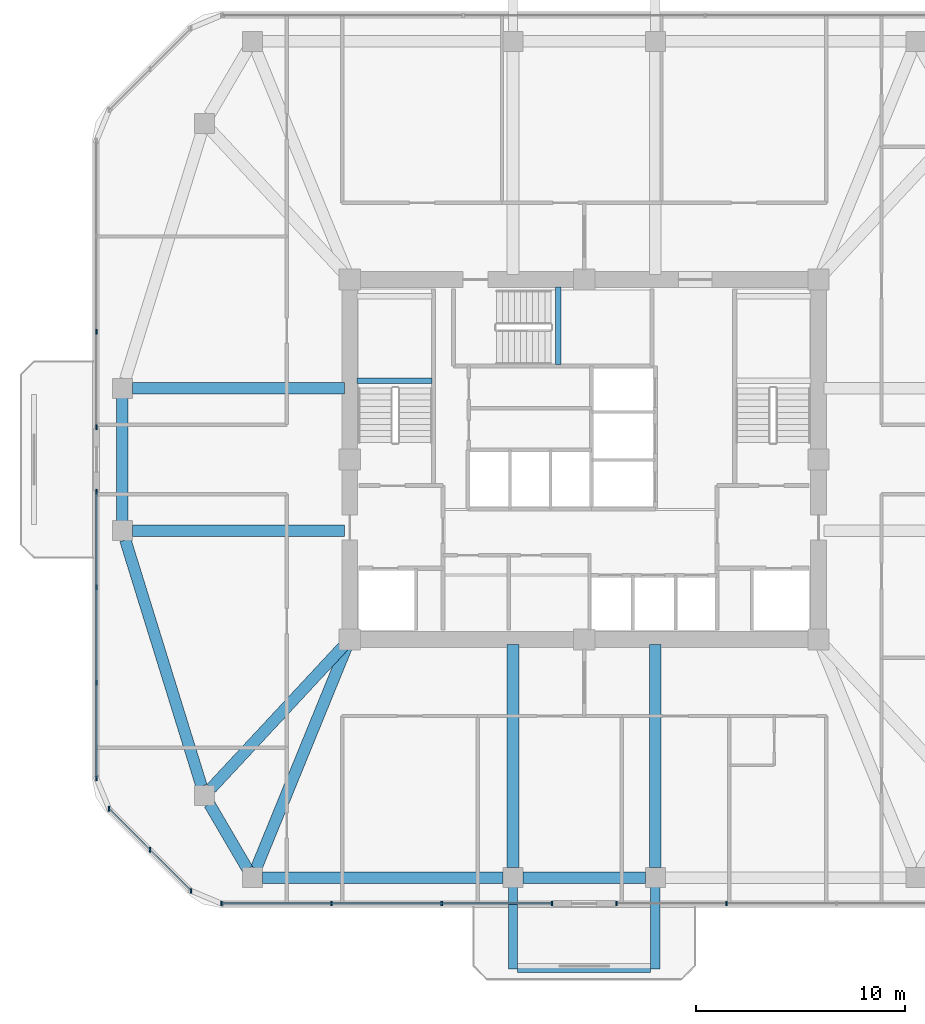
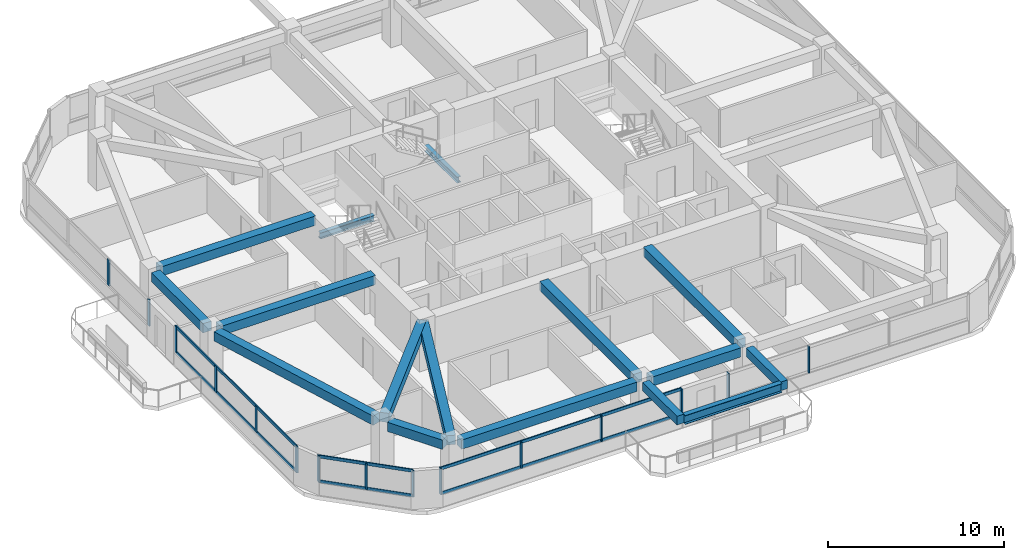
# One storey, part 2 of 12: 21 members, 16 beams, 5 elements without a shape of their own.
"""IFC4 building model written with IfcOpenShell, lengths in metres."""

from ifc_helpers import new_model, si_unit, derived_unit, direction, frame, origin, origin_2d, place, context, subcontext, project, spatial, rectangle, i_section, extrude, material, material_profile, profile_set, type_object, element, aggregate, save


model = new_model("IFC4")

# Units and contexts
model_context = context("Model", 3, precision=1e-05, world=origin(), true_north=direction((0.0, 1.0)))
body_context = subcontext(model_context, "Body", "Model", "MODEL_VIEW")
ifc_project = project(units=[si_unit("LENGTHUNIT", "METRE"), si_unit("AREAUNIT", "SQUARE_METRE"), si_unit("VOLUMEUNIT", "CUBIC_METRE"), si_unit("PLANEANGLEUNIT", "RADIAN"), si_unit("MASSUNIT", "GRAM", prefix="KILO"), derived_unit("THERMALTRANSMITTANCEUNIT", [(si_unit("POWERUNIT", "WATT"), 1), (si_unit("LENGTHUNIT", "METRE"), -2), (si_unit("THERMODYNAMICTEMPERATUREUNIT", "KELVIN"), -1)])], contexts=[model_context])

# Site, building, storey
site_placement = place(None, origin())
site = spatial("IfcSite", under=ifc_project, at=site_placement, CompositionType="ELEMENT")
building_placement = place(site_placement, origin())
building = spatial("IfcBuilding", under=site, at=building_placement, Name="Koralith Skygarden Medical Center", CompositionType="ELEMENT")
storey_placement = place(building_placement, frame((0.0, 0.0, 163.6201171875)))
storey = spatial("IfcBuildingStorey", under=building, at=storey_placement, Name="L42", CompositionType="ELEMENT", Elevation=163.6201171875)

# Curtain wall, members
ifc_material_1 = material(Name="Clear Laminated Glass", Category="glass")
curtain_wall_type = type_object("IfcCurtainWallType", Name="CW-4 Zone 3 Waist High-Wind Curtain Wall", PredefinedType="NOTDEFINED", material=ifc_material_1)
curtain_wall_1_placement = place(storey_placement, origin())
curtain_wall_1 = element("IfcCurtainWall", 1, at=curtain_wall_1_placement, inside=storey, type_object=curtain_wall_type, Name="Curtain Wall CW-L42-S-L", PredefinedType="NOTDEFINED")
ifc_material_2 = material(Name="Aluminium 6063-T6", Category="aluminium")
ifc_material_profile_1 = material_profile(ifc_material_2, rectangle(XDim=0.076904296875, YDim=0.22998046875, at=origin_2d()), Name="MUL77X230")
ifc_profile_set_1 = profile_set([ifc_material_profile_1], Name="Aluminium 6063-T6")
member_type_1 = type_object("IfcMemberType", Name="CW-4 Extruded Mullion 77x230", PredefinedType="MULLION", material=ifc_profile_set_1)
member_1_placement = place(storey_placement, frame((19.6708984375, 4.679931640625, 0.849853515625), z_axis=(0.0, 0.0, 1.0), x_axis=(1.0, 0.0, 0.0)))
member_1 = element("IfcMember", 2, at=member_1_placement, type_object=member_type_1, Name="CW-L42-S-L Mullion 1", PredefinedType="MULLION", context=body_context, shape_type="SweptSolid", body=[
    extrude(rectangle(XDim=0.076904296875, YDim=0.22998046875, at=origin_2d()), origin(), (0.0, 0.0, 1.0), 1.820068359375),
])
member_2_placement = place(storey_placement, frame((24.93408203125, 4.679931640625, 0.849853515625), z_axis=(0.0, 0.0, 1.0), x_axis=(1.0, 0.0, 0.0)))
member_2 = element("IfcMember", 3, at=member_2_placement, type_object=member_type_1, Name="CW-L42-S-L Mullion 2", PredefinedType="MULLION", context=body_context, shape_type="SweptSolid", body=[
    extrude(rectangle(XDim=0.076904296875, YDim=0.22998046875, at=origin_2d()), origin(), (0.0, 0.0, 1.0), 1.820068359375),
])
member_3_placement = place(storey_placement, frame((30.196044921875, 4.679931640625, 0.849853515625), z_axis=(0.0, 0.0, 1.0), x_axis=(1.0, 0.0, 0.0)))
member_3 = element("IfcMember", 4, at=member_3_placement, type_object=member_type_1, Name="CW-L42-S-L Mullion 3", PredefinedType="MULLION", context=body_context, shape_type="SweptSolid", body=[
    extrude(rectangle(XDim=0.076904296875, YDim=0.22998046875, at=origin_2d()), origin(), (0.0, 0.0, 1.0), 1.820068359375),
])
member_4_placement = place(storey_placement, frame((35.458984375, 4.679931640625, 0.849853515625), z_axis=(0.0, 0.0, 1.0), x_axis=(1.0, 0.0, 0.0)))
member_4 = element("IfcMember", 5, at=member_4_placement, type_object=member_type_1, Name="CW-L42-S-L Mullion 4", PredefinedType="MULLION", context=body_context, shape_type="SweptSolid", body=[
    extrude(rectangle(XDim=0.076904296875, YDim=0.22998046875, at=origin_2d()), origin(), (0.0, 0.0, 1.0), 1.820068359375),
])

curtain_wall_2_placement = place(storey_placement, origin())
curtain_wall_2 = element("IfcCurtainWall", 6, at=curtain_wall_2_placement, inside=storey, type_object=curtain_wall_type, Name="Curtain Wall CW-L42-S-R", PredefinedType="NOTDEFINED")
member_5_placement = place(storey_placement, frame((38.5390625, 4.679931640625, 0.849853515625), z_axis=(0.0, 0.0, 1.0), x_axis=(1.0, 0.0, 0.0)))
member_5 = element("IfcMember", 7, at=member_5_placement, type_object=member_type_1, Name="CW-L42-S-R Mullion 1", PredefinedType="MULLION", context=body_context, shape_type="SweptSolid", body=[
    extrude(rectangle(XDim=0.076904296875, YDim=0.22998046875, at=origin_2d()), origin(), (0.0, 0.0, 1.0), 1.820068359375),
])
member_6_placement = place(storey_placement, frame((43.802001953125, 4.679931640625, 0.849853515625), z_axis=(0.0, 0.0, 1.0), x_axis=(1.0, 0.0, 0.0)))
member_6 = element("IfcMember", 8, at=member_6_placement, type_object=member_type_1, Name="CW-L42-S-R Mullion 2", PredefinedType="MULLION", context=body_context, shape_type="SweptSolid", body=[
    extrude(rectangle(XDim=0.076904296875, YDim=0.22998046875, at=origin_2d()), origin(), (0.0, 0.0, 1.0), 1.820068359375),
])
aggregate(curtain_wall_2, [member_5, member_6])

curtain_wall_3_placement = place(storey_placement, origin())
curtain_wall_3 = element("IfcCurtainWall", 9, at=curtain_wall_3_placement, inside=storey, type_object=curtain_wall_type, Name="Curtain Wall CW-L42-W-L", PredefinedType="NOTDEFINED")
member_7_placement = place(storey_placement, frame((13.696044921875, 32.008056640625, 0.849853515625), z_axis=(0.0, 0.0, 1.0), x_axis=(1.0, 0.0, 0.0)))
member_7 = element("IfcMember", 10, at=member_7_placement, type_object=member_type_1, Name="CW-L42-W-L Mullion 3", PredefinedType="MULLION", context=body_context, shape_type="SweptSolid", body=[
    extrude(rectangle(XDim=0.076904296875, YDim=0.22998046875, at=origin_2d()), origin(), (0.0, 0.0, 1.0), 1.820068359375),
])
member_8_placement = place(storey_placement, frame((13.696044921875, 27.43994140625, 0.849853515625), z_axis=(0.0, 0.0, 1.0), x_axis=(1.0, 0.0, 0.0)))
member_8 = element("IfcMember", 11, at=member_8_placement, type_object=member_type_1, Name="CW-L42-W-L Mullion 4", PredefinedType="MULLION", context=body_context, shape_type="SweptSolid", body=[
    extrude(rectangle(XDim=0.076904296875, YDim=0.22998046875, at=origin_2d()), origin(), (0.0, 0.0, 1.0), 1.820068359375),
])
aggregate(curtain_wall_3, [member_7, member_8])

curtain_wall_4_placement = place(storey_placement, origin())
curtain_wall_4 = element("IfcCurtainWall", 12, at=curtain_wall_4_placement, inside=storey, type_object=curtain_wall_type, Name="Curtain Wall CW-L42-W-R", PredefinedType="NOTDEFINED")
member_9_placement = place(storey_placement, frame((13.696044921875, 24.360107421875, 0.849853515625), z_axis=(0.0, 0.0, 1.0), x_axis=(1.0, 0.0, 0.0)))
member_9 = element("IfcMember", 13, at=member_9_placement, type_object=member_type_1, Name="CW-L42-W-R Mullion 1", PredefinedType="MULLION", context=body_context, shape_type="SweptSolid", body=[
    extrude(rectangle(XDim=0.076904296875, YDim=0.22998046875, at=origin_2d()), origin(), (0.0, 0.0, 1.0), 1.820068359375),
])
member_10_placement = place(storey_placement, frame((13.696044921875, 19.7919921875, 0.849853515625), z_axis=(0.0, 0.0, 1.0), x_axis=(1.0, 0.0, 0.0)))
member_10 = element("IfcMember", 14, at=member_10_placement, type_object=member_type_1, Name="CW-L42-W-R Mullion 2", PredefinedType="MULLION", context=body_context, shape_type="SweptSolid", body=[
    extrude(rectangle(XDim=0.076904296875, YDim=0.22998046875, at=origin_2d()), origin(), (0.0, 0.0, 1.0), 1.820068359375),
])
member_11_placement = place(storey_placement, frame((13.696044921875, 15.222900390625, 0.849853515625), z_axis=(0.0, 0.0, 1.0), x_axis=(1.0, 0.0, 0.0)))
member_11 = element("IfcMember", 15, at=member_11_placement, type_object=member_type_1, Name="CW-L42-W-R Mullion 3", PredefinedType="MULLION", context=body_context, shape_type="SweptSolid", body=[
    extrude(rectangle(XDim=0.076904296875, YDim=0.22998046875, at=origin_2d()), origin(), (0.0, 0.0, 1.0), 1.820068359375),
])
member_12_placement = place(storey_placement, frame((13.696044921875, 10.655029296875, 0.849853515625), z_axis=(0.0, 0.0, 1.0), x_axis=(1.0, 0.0, 0.0)))
member_12 = element("IfcMember", 16, at=member_12_placement, type_object=member_type_1, Name="CW-L42-W-R Mullion 4", PredefinedType="MULLION", context=body_context, shape_type="SweptSolid", body=[
    extrude(rectangle(XDim=0.076904296875, YDim=0.22998046875, at=origin_2d()), origin(), (0.0, 0.0, 1.0), 1.820068359375),
])

curtain_wall_5_placement = place(storey_placement, origin())
curtain_wall_5 = element("IfcCurtainWall", 17, at=curtain_wall_5_placement, inside=storey, type_object=curtain_wall_type, Name="Curtain Wall CW-L42-SW", PredefinedType="NOTDEFINED")
member_13_placement = place(storey_placement, frame((14.297119140625, 9.2041015625, 0.849853515625), z_axis=(0.0, 0.0, 1.0), x_axis=(1.0, 0.0, 0.0)))
member_13 = element("IfcMember", 18, at=member_13_placement, type_object=member_type_1, Name="CW-L42-SW Mullion 1", PredefinedType="MULLION", context=body_context, shape_type="SweptSolid", body=[
    extrude(rectangle(XDim=0.076904296875, YDim=0.22998046875, at=origin_2d()), origin(), (0.0, 0.0, 1.0), 1.820068359375),
])
member_14_placement = place(storey_placement, frame((16.258056640625, 7.241943359375, 0.849853515625), z_axis=(0.0, 0.0, 1.0), x_axis=(1.0, 0.0, 0.0)))
member_14 = element("IfcMember", 19, at=member_14_placement, type_object=member_type_1, Name="CW-L42-SW Mullion 2", PredefinedType="MULLION", context=body_context, shape_type="SweptSolid", body=[
    extrude(rectangle(XDim=0.076904296875, YDim=0.22998046875, at=origin_2d()), origin(), (0.0, 0.0, 1.0), 1.820068359375),
])
member_15_placement = place(storey_placement, frame((18.219970703125, 5.281005859375, 0.849853515625), z_axis=(0.0, 0.0, 1.0), x_axis=(1.0, 0.0, 0.0)))
member_15 = element("IfcMember", 20, at=member_15_placement, type_object=member_type_1, Name="CW-L42-SW Mullion 3", PredefinedType="MULLION", context=body_context, shape_type="SweptSolid", body=[
    extrude(rectangle(XDim=0.076904296875, YDim=0.22998046875, at=origin_2d()), origin(), (0.0, 0.0, 1.0), 1.820068359375),
])

# Member
ifc_material_profile_2 = material_profile(ifc_material_2, rectangle(XDim=0.072021484375, YDim=0.20703125, at=origin_2d()), Name="TRN72X207")
ifc_profile_set_2 = profile_set([ifc_material_profile_2], Name="Aluminium 6063-T6")
member_type_2 = type_object("IfcMemberType", Name="CW-4 Thermal Transom 72x207", PredefinedType="USERDEFINED", material=ifc_profile_set_2)
member_16_placement = place(storey_placement, frame((19.6708984375, 4.679931640625, 0.89990234375), z_axis=(1.0, 0.0, 0.0), x_axis=(0.0, 1.0, 0.0)))
member_16 = element("IfcMember", 21, at=member_16_placement, type_object=member_type_2, Name="CW-L42-S-L Transom 1", ObjectType="TRANSOM", PredefinedType="USERDEFINED", context=body_context, shape_type="SweptSolid", body=[
    extrude(rectangle(XDim=0.072021484375, YDim=0.20703125, at=origin_2d()), origin(), (0.0, 0.0, 1.0), 15.7880859375),
])

member_17_placement = place(storey_placement, frame((19.6708984375, 4.679931640625, 2.619873046875), z_axis=(1.0, 0.0, 0.0), x_axis=(0.0, 1.0, 0.0)))
member_17 = element("IfcMember", 22, at=member_17_placement, type_object=member_type_2, Name="CW-L42-S-L Transom 2", ObjectType="TRANSOM", PredefinedType="USERDEFINED", context=body_context, shape_type="SweptSolid", body=[
    extrude(rectangle(XDim=0.072021484375, YDim=0.20703125, at=origin_2d()), origin(), (0.0, 0.0, 1.0), 15.7880859375),
])

aggregate(curtain_wall_1, [member_1, member_2, member_3, member_4, member_16, member_17])

member_18_placement = place(storey_placement, frame((13.696044921875, 24.360107421875, 0.89990234375), z_axis=(0.0, -1.0, 0.0), x_axis=(1.0, 0.0, 0.0)))
member_18 = element("IfcMember", 23, at=member_18_placement, type_object=member_type_2, Name="CW-L42-W-R Transom 1", ObjectType="TRANSOM", PredefinedType="USERDEFINED", context=body_context, shape_type="SweptSolid", body=[
    extrude(rectangle(XDim=0.072021484375, YDim=0.20703125, at=origin_2d()), origin(), (0.0, 0.0, 1.0), 13.705078125),
])

member_19_placement = place(storey_placement, frame((13.696044921875, 24.360107421875, 2.619873046875), z_axis=(0.0, -1.0, 0.0), x_axis=(1.0, 0.0, 0.0)))
member_19 = element("IfcMember", 24, at=member_19_placement, type_object=member_type_2, Name="CW-L42-W-R Transom 2", ObjectType="TRANSOM", PredefinedType="USERDEFINED", context=body_context, shape_type="SweptSolid", body=[
    extrude(rectangle(XDim=0.072021484375, YDim=0.20703125, at=origin_2d()), origin(), (0.0, 0.0, 1.0), 13.705078125),
])

aggregate(curtain_wall_4, [member_9, member_10, member_11, member_12, member_18, member_19])

member_20_placement = place(storey_placement, frame((14.297119140625, 9.2041015625, 0.89990234375), z_axis=(0.707084777957, -0.707128783731, 0.0), x_axis=(0.707128783731, 0.707084777957, 0.0)))
member_20 = element("IfcMember", 25, at=member_20_placement, type_object=member_type_2, Name="CW-L42-SW Transom 1", ObjectType="TRANSOM", PredefinedType="USERDEFINED", context=body_context, shape_type="SweptSolid", body=[
    extrude(rectangle(XDim=0.072021484375, YDim=0.20703125, at=origin_2d()), origin(), (0.0, 0.0, 1.0), 5.5478515625),
])

member_21_placement = place(storey_placement, frame((14.297119140625, 9.2041015625, 2.619873046875), z_axis=(0.707084777957, -0.707128783731, 0.0), x_axis=(0.707128783731, 0.707084777957, 0.0)))
member_21 = element("IfcMember", 26, at=member_21_placement, type_object=member_type_2, Name="CW-L42-SW Transom 2", ObjectType="TRANSOM", PredefinedType="USERDEFINED", context=body_context, shape_type="SweptSolid", body=[
    extrude(rectangle(XDim=0.072021484375, YDim=0.20703125, at=origin_2d()), origin(), (0.0, 0.0, 1.0), 5.5478515625),
])

aggregate(curtain_wall_5, [member_13, member_14, member_15, member_20, member_21])

# Beams
ifc_material_3 = material(Name="Steel ASTM A992 Grade 50", Category="steel")
ifc_material_profile_3 = material_profile(ifc_material_3, i_section(OverallWidth=0.326904296875, OverallDepth=0.6220703125, WebThickness=0.015380859375, FlangeThickness=0.0244140625, at=origin_2d()), Name="W24X131")
ifc_profile_set_3 = profile_set([ifc_material_profile_3], Name="Steel ASTM A992 Grade 50")
beam_type_1 = type_object("IfcBeamType", Name="Cantilever Tie Beam W24X131", PredefinedType="BEAM", material=ifc_profile_set_3)
beam_1_placement = place(storey_placement, frame((33.820068359375, 1.5400390625, 3.02880859375), z_axis=(1.0, 0.0, 0.0), x_axis=(0.0, 1.0, 0.0)))
element("IfcBeam", 27, at=beam_1_placement, inside=storey, type_object=beam_type_1, Name="L43 S Balcony Tip Tie Beam", PredefinedType="BEAM", context=body_context, shape_type="SweptSolid", body=[
    extrude(i_section(OverallWidth=0.326904296875, OverallDepth=0.6220703125, WebThickness=0.015380859375, FlangeThickness=0.0244140625, at=origin_2d()), origin(), (0.0, 0.0, 1.0), 6.35986328125),
])
ifc_material_profile_4 = material_profile(ifc_material_3, i_section(OverallWidth=0.260009765625, OverallDepth=0.4150390625, WebThickness=0.010009765625, FlangeThickness=0.016845703125, at=origin_2d()), Name="W16X67")
ifc_profile_set_4 = profile_set([ifc_material_profile_4], Name="Steel ASTM A992 Grade 50")
beam_type_2 = type_object("IfcBeamType", Name="Clinical Floor Joist W16X67", PredefinedType="JOIST", material=ifc_profile_set_4)
beam_2_placement = place(storey_placement, frame((26.155029296875, 29.659912109375, 1.391845703125), z_axis=(1.0, 0.0, 0.0), x_axis=(0.0, 1.0, 0.0)))
element("IfcBeam", 28, at=beam_2_placement, inside=storey, type_object=beam_type_2, Name="L42 Stair ST1 Half-Landing Support Beam 1A", PredefinedType="JOIST", context=body_context, shape_type="SweptSolid", body=[
    extrude(i_section(OverallWidth=0.260009765625, OverallDepth=0.4150390625, WebThickness=0.010009765625, FlangeThickness=0.016845703125, at=origin_2d()), origin(), (0.0, 0.0, 1.0), 3.56494140625),
])
beam_3_placement = place(storey_placement, frame((35.760009765625, 30.43994140625, 1.391845703125), z_axis=(0.0, 1.0, 0.0), x_axis=(-1.0, 0.0, 0.0)))
element("IfcBeam", 29, at=beam_3_placement, inside=storey, type_object=beam_type_2, Name="L42 Stair ST3 Half-Landing Support Beam 1A", PredefinedType="JOIST", context=body_context, shape_type="SweptSolid", body=[
    extrude(i_section(OverallWidth=0.260009765625, OverallDepth=0.4150390625, WebThickness=0.010009765625, FlangeThickness=0.016845703125, at=origin_2d()), origin(), (0.0, 0.0, 1.0), 3.705078125),
])
ifc_material_4 = material(Name="Concrete C45/55", Category="concrete")
ifc_material_profile_5 = material_profile(ifc_material_4, rectangle(XDim=0.449951171875, YDim=0.60009765625, at=origin_2d()), Name="RCB450X600")
ifc_profile_set_5 = profile_set([ifc_material_profile_5], Name="Concrete C45/55")
beam_type_3 = type_object("IfcBeamType", Name="Planted Balcony Cantilever Beam RCB450X600", PredefinedType="BEAM", material=ifc_profile_set_5)
for number, where, z_axis, x_axis, name in (
    (30, (33.60009765625, 5.4599609375, 3.039794921875), (0.0, -1.0, 0.0), (1.0, 0.0, 0.0), "L43 S Balcony Cantilever Beam A"),
    (31, (40.39990234375, 5.4599609375, 3.039794921875), (0.0, -1.0, 0.0), (1.0, 0.0, 0.0), "L43 S Balcony Cantilever Beam B"),
):
    element("IfcBeam", number, at=place(storey_placement, frame(where, z_axis=z_axis, x_axis=x_axis)), inside=storey, type_object=beam_type_3, Name=name, PredefinedType="BEAM", context=body_context, shape_type="SweptSolid", body=[
        extrude(rectangle(XDim=0.449951171875, YDim=0.60009765625, at=origin_2d()), origin(), (0.0, 0.0, 1.0), 3.919921875),
    ])
ifc_material_profile_6 = material_profile(ifc_material_4, rectangle(XDim=0.550048828125, YDim=0.639892578125, at=origin_2d()), Name="RCB550X640")
ifc_profile_set_6 = profile_set([ifc_material_profile_6], Name="Concrete C45/55")
beam_type_4 = type_object("IfcBeamType", Name="Radial Collector Beam RCB550X640", PredefinedType="BEAM", material=ifc_profile_set_6)
beam_4_placement = place(storey_placement, frame((25.550048828125, 22.5, 3.0), z_axis=(-1.0, 0.0, 0.0), x_axis=(0.0, -1.0, 0.0)))
element("IfcBeam", 32, at=beam_4_placement, inside=storey, type_object=beam_type_4, Name="L42 Radial Collector Beam RB-01", PredefinedType="BEAM", context=body_context, shape_type="SweptSolid", body=[
    extrude(rectangle(XDim=0.550048828125, YDim=0.639892578125, at=origin_2d()), origin(), (0.0, 0.0, 1.0), 10.14404296875),
])
beam_5_placement = place(storey_placement, frame((25.6298828125, 17.116943359375, 3.0), z_axis=(-0.681369011591, -0.731940072713, 0.0), x_axis=(0.731940072713, -0.681369011591, 0.0)))
element("IfcBeam", 33, at=beam_5_placement, inside=storey, type_object=beam_type_4, Name="L42 Radial Collector Beam RB-02", PredefinedType="BEAM", context=body_context, shape_type="SweptSolid", body=[
    extrude(rectangle(XDim=0.550048828125, YDim=0.639892578125, at=origin_2d()), origin(), (0.0, 0.0, 1.0), 9.471923828125),
])
beam_6_placement = place(storey_placement, frame((25.705078125, 17.069091796875, 3.0), z_axis=(-0.378344544364, -0.92566484526, 0.0), x_axis=(0.92566484526, -0.378344544364, 0.0)))
element("IfcBeam", 34, at=beam_6_placement, inside=storey, type_object=beam_type_4, Name="L42 Radial Collector Beam RB-03", PredefinedType="BEAM", context=body_context, shape_type="SweptSolid", body=[
    extrude(rectangle(XDim=0.550048828125, YDim=0.639892578125, at=origin_2d()), origin(), (0.0, 0.0, 1.0), 11.574462890625),
])
for number, where, z_axis, x_axis, name in (
    (35, (33.60009765625, 17.050048828125, 3.0), (0.0, -1.0, 0.0), (1.0, 0.0, 0.0), "L42 Radial Collector Beam RB-04"),
    (36, (40.39990234375, 17.050048828125, 3.0), (0.0, -1.0, 0.0), (1.0, 0.0, 0.0), "L42 Radial Collector Beam RB-05"),
):
    element("IfcBeam", number, at=place(storey_placement, frame(where, z_axis=z_axis, x_axis=x_axis)), inside=storey, type_object=beam_type_4, Name=name, PredefinedType="BEAM", context=body_context, shape_type="SweptSolid", body=[
        extrude(rectangle(XDim=0.550048828125, YDim=0.639892578125, at=origin_2d()), origin(), (0.0, 0.0, 1.0), 10.66015625),
    ])
beam_7_placement = place(storey_placement, frame((25.550048828125, 29.300048828125, 3.0), z_axis=(-1.0, 0.0, 0.0), x_axis=(0.0, -1.0, 0.0)))
element("IfcBeam", 37, at=beam_7_placement, inside=storey, type_object=beam_type_4, Name="L42 Radial Collector Beam RB-16", PredefinedType="BEAM", context=body_context, shape_type="SweptSolid", body=[
    extrude(rectangle(XDim=0.550048828125, YDim=0.639892578125, at=origin_2d()), origin(), (0.0, 0.0, 1.0), 10.14404296875),
])
ifc_material_profile_7 = material_profile(ifc_material_4, rectangle(XDim=0.550048828125, YDim=0.639892578125, at=origin_2d()), Name="RCB550X640")
ifc_profile_set_7 = profile_set([ifc_material_profile_7], Name="Concrete C45/55")
beam_type_5 = type_object("IfcBeamType", Name="Zone 2-3 Spandrel Beam RCB550X640", PredefinedType="SPANDREL", material=ifc_profile_set_7)
beam_8_placement = place(storey_placement, frame((15.074951171875, 22.051025390625, 3.0), z_axis=(0.295793585147, -0.955251880389, 0.0), x_axis=(0.955251880389, 0.295793585147, 0.0)))
element("IfcBeam", 38, at=beam_8_placement, inside=storey, type_object=beam_type_5, Name="L42 Perimeter Spandrel Beam SP-01", PredefinedType="SPANDREL", context=body_context, shape_type="SweptSolid", body=[
    extrude(rectangle(XDim=0.550048828125, YDim=0.639892578125, at=origin_2d()), origin(), (0.0, 0.0, 1.0), 12.31298828125),
])
beam_9_placement = place(storey_placement, frame((19.093017578125, 9.43408203125, 3.0), z_axis=(0.504861391295, -0.863200426077, 0.0), x_axis=(0.863200426077, 0.504861391295, 0.0)))
element("IfcBeam", 39, at=beam_9_placement, inside=storey, type_object=beam_type_5, Name="L42 Perimeter Spandrel Beam SP-02", PredefinedType="SPANDREL", context=body_context, shape_type="SweptSolid", body=[
    extrude(rectangle(XDim=0.550048828125, YDim=0.639892578125, at=origin_2d()), origin(), (0.0, 0.0, 1.0), 3.600830078125),
])
beam_10_placement = place(storey_placement, frame((21.617919921875, 5.919921875, 3.0), z_axis=(1.0, 0.0, 0.0), x_axis=(0.0, 1.0, 0.0)))
element("IfcBeam", 40, at=beam_10_placement, inside=storey, type_object=beam_type_5, Name="L42 Perimeter Spandrel Beam SP-03", PredefinedType="SPANDREL", context=body_context, shape_type="SweptSolid", body=[
    extrude(rectangle(XDim=0.550048828125, YDim=0.639892578125, at=origin_2d()), origin(), (0.0, 0.0, 1.0), 11.511962890625),
])
beam_11_placement = place(storey_placement, frame((34.070068359375, 5.919921875, 3.0), z_axis=(1.0, 0.0, 0.0), x_axis=(0.0, 1.0, 0.0)))
element("IfcBeam", 41, at=beam_11_placement, inside=storey, type_object=beam_type_5, Name="L42 Perimeter Spandrel Beam SP-04", PredefinedType="SPANDREL", context=body_context, shape_type="SweptSolid", body=[
    extrude(rectangle(XDim=0.550048828125, YDim=0.639892578125, at=origin_2d()), origin(), (0.0, 0.0, 1.0), 5.85986328125),
])
beam_12_placement = place(storey_placement, frame((14.93603515625, 28.830078125, 3.0), z_axis=(0.0, -1.0, 0.0), x_axis=(1.0, 0.0, 0.0)))
element("IfcBeam", 42, at=beam_12_placement, inside=storey, type_object=beam_type_5, Name="L42 Perimeter Spandrel Beam SP-16", PredefinedType="SPANDREL", context=body_context, shape_type="SweptSolid", body=[
    extrude(rectangle(XDim=0.550048828125, YDim=0.639892578125, at=origin_2d()), origin(), (0.0, 0.0, 1.0), 5.860107421875),
])

save(model, "model.ifc")
